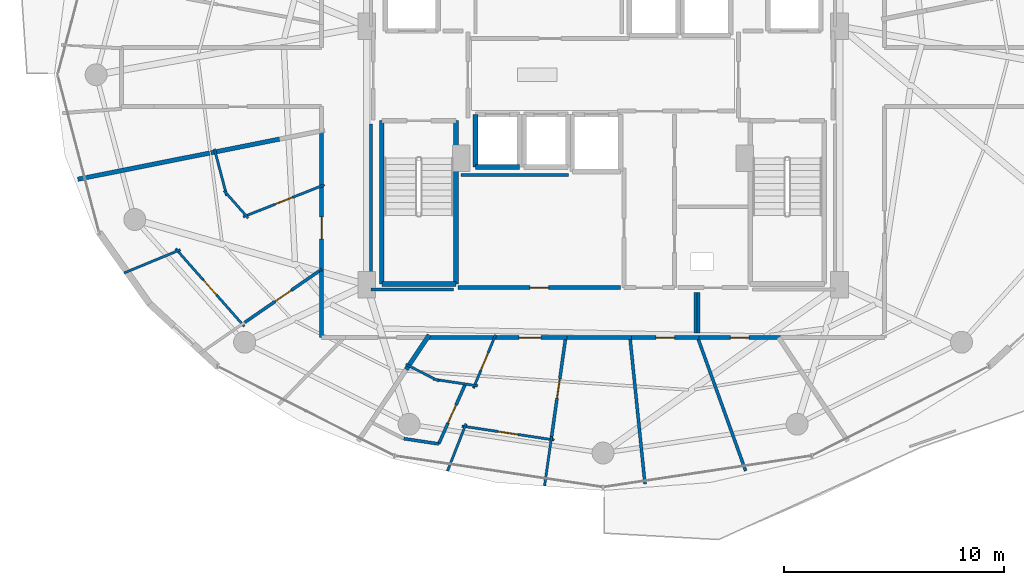
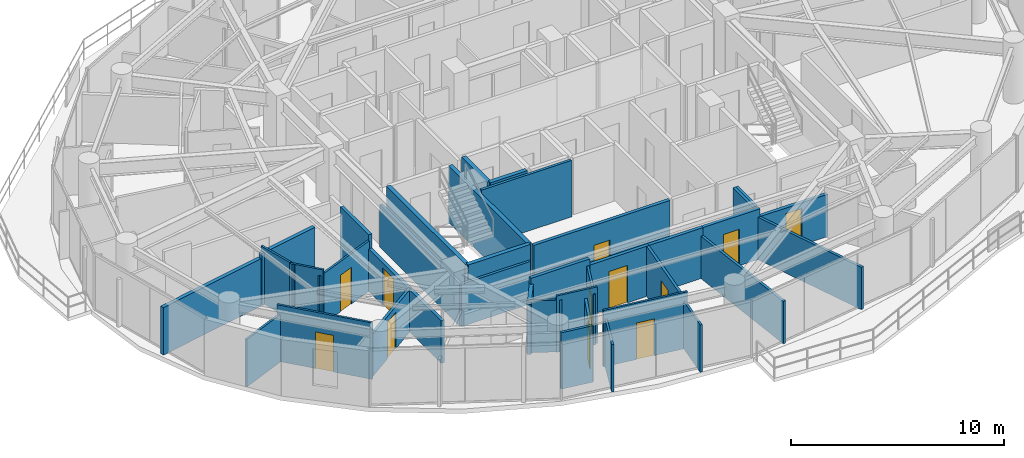
# One storey, part 20 of 29: 39 walls, 12 doors, 12 openings.
"""IFC4 building model written with IfcOpenShell, lengths in metres."""

import ifcopenshell
import ifcopenshell.guid

model = None  # the IFC model being written
_history = None  # IfcOwnerHistory: only IFC2X3 demands one
_inside = {}  # id of a spatial element -> (the spatial element, [elements in it])
_under = {}  # id of a project, library or spatial element -> (it, [spatial elements below it])
_declared = {}  # id of a project -> (the project, [libraries it declares])
_typed = {}  # id of a type object -> (the type object, [elements of that type])
_made_of = {}  # id of a material, layer set ... -> (it, [elements and type objects made of it])


def new_model(schema):
    """Start an empty IFC model of exactly this schema.

    Asked for "IFC4X3", IfcOpenShell would pick the latest addendum, in which some entities
    have other attributes; the version numbers below select the first issue.
    IFC2X3 requires an IfcOwnerHistory on every rooted entity: one is made here for all.
    """
    global model, _history
    if schema == "IFC4X3":
        model = ifcopenshell.file(schema_version=(4, 3, 0, 0))
    else:
        model = ifcopenshell.file(schema=schema)
    _inside.clear()
    _under.clear()
    _declared.clear()
    _typed.clear()
    _made_of.clear()
    _history = None
    if model.schema == "IFC2X3":
        org = make("IfcOrganization", Name="unknown")
        user = make(
            "IfcPersonAndOrganization",
            ThePerson=make("IfcPerson", FamilyName="unknown"),
            TheOrganization=org,
        )
        app = make(
            "IfcApplication",
            ApplicationDeveloper=org,
            Version="unknown",
            ApplicationFullName="unknown",
            ApplicationIdentifier="unknown",
        )
        _history = make(
            "IfcOwnerHistory",
            OwningUser=user,
            OwningApplication=app,
            ChangeAction="ADDED",
            CreationDate=0,
        )
    return model


def make(cls, **values):
    """One entity of the class cls with the attributes given. An attribute that is None is left unset."""
    return model.create_entity(
        cls, **{name: value for name, value in values.items() if value is not None}
    )


def rooted(cls, **values):
    """An entity with a GlobalId (a new one), such as an element, a storey or a relation."""
    return make(cls, GlobalId=ifcopenshell.guid.new(), OwnerHistory=_history, **values)


def si_unit(unit_type, name, prefix=None):
    """IfcSIUnit, for example si_unit("LENGTHUNIT", "METRE", prefix="MILLI")."""
    return make("IfcSIUnit", UnitType=unit_type, Prefix=prefix, Name=name)


def assignment(units):
    """IfcUnitAssignment: the units of a project."""
    return None if units is None else make("IfcUnitAssignment", Units=units)


def point(xyz):
    """IfcCartesianPoint."""
    return None if xyz is None else make("IfcCartesianPoint", Coordinates=xyz)


def direction(xyz):
    """IfcDirection."""
    return None if xyz is None else make("IfcDirection", DirectionRatios=xyz)


def frame(location, z_axis=None, x_axis=None):
    """IfcAxis2Placement3D, a coordinate frame: its origin and axes. An axis left out is left unset."""
    return make(
        "IfcAxis2Placement3D",
        Location=point(location),
        Axis=direction(z_axis),
        RefDirection=direction(x_axis),
    )


def frame_2d(location, x_axis=None):
    """IfcAxis2Placement2D, a coordinate frame in the plane: its origin and x axis."""
    return make(
        "IfcAxis2Placement2D", Location=point(location), RefDirection=direction(x_axis)
    )


def origin():
    """The frame at (0, 0, 0) with its axes left unset."""
    return frame((0.0, 0.0, 0.0))


def place(relative_to, where):
    """IfcLocalPlacement: puts the frame where relative to a parent placement (None: the world)."""
    return make(
        "IfcLocalPlacement", PlacementRelTo=relative_to, RelativePlacement=where
    )


def context(
    kind, dimensions, precision=None, world=None, true_north=None, identifier=None
):
    """IfcGeometricRepresentationContext, for example the 3D "Model" context."""
    return make(
        "IfcGeometricRepresentationContext",
        ContextIdentifier=identifier,
        ContextType=kind,
        CoordinateSpaceDimension=dimensions,
        Precision=precision,
        WorldCoordinateSystem=world,
        TrueNorth=true_north,
    )


def subcontext(parent, identifier, kind, view, scale=None):
    """IfcGeometricRepresentationSubContext, for example "Body" below "Model"."""
    return make(
        "IfcGeometricRepresentationSubContext",
        ContextIdentifier=identifier,
        ContextType=kind,
        ParentContext=parent,
        TargetScale=scale,
        TargetView=view,
    )


def project(units=None, contexts=None):
    """IfcProject with its units and contexts."""
    return rooted(
        "IfcProject",
        Name="project",
        RepresentationContexts=contexts,
        UnitsInContext=assignment(units),
    )


def spatial(cls, under=None, at=None, **own):
    """A site, building, storey or space (cls), placed at a placement, below another one or the project."""
    s = rooted(cls, ObjectPlacement=at, **own)
    if under is not None:
        _under.setdefault(under.id(), (under, []))[1].append(s)
    return s


def profile(cls, at=None, kind="AREA", **sizes):
    """A parametric profile (cls). Its sizes go by their IFC names, for example OverallWidth=200.0."""
    return make(cls, ProfileType=kind, Position=at, **sizes)


def rectangle(**sizes):
    """IfcRectangleProfileDef."""
    return profile("IfcRectangleProfileDef", **sizes)


def extrude(swept, where, along, depth):
    """IfcExtrudedAreaSolid: the profile swept, set in the frame where, extruded along a direction by depth."""
    return make(
        "IfcExtrudedAreaSolid",
        SweptArea=swept,
        Position=where,
        ExtrudedDirection=direction(along),
        Depth=depth,
    )


def shape(context_of_items, identifier, shape_type, items):
    """IfcShapeRepresentation: the items that make up one representation, for example the "Body"."""
    return make(
        "IfcShapeRepresentation",
        ContextOfItems=context_of_items,
        RepresentationIdentifier=identifier,
        RepresentationType=shape_type,
        Items=items,
    )


def material(Name=None, Category=None):
    """IfcMaterial."""
    return make("IfcMaterial", Name=Name, Category=Category)


def layer(
    of_material, thickness, ventilated=None, Name=None, Category=None, Priority=None
):
    """IfcMaterialLayer: one layer of a wall or slab, of a material (None: an air gap)."""
    return make(
        "IfcMaterialLayer",
        Material=of_material,
        LayerThickness=thickness,
        IsVentilated=ventilated,
        Name=Name,
        Category=Category,
        Priority=Priority,
    )


def layer_set(layers, Name=None):
    """IfcMaterialLayerSet."""
    return make("IfcMaterialLayerSet", MaterialLayers=layers, LayerSetName=Name)


def made_of(thing, what):
    """Note that an element or type object is made of a material, layer set ...; save() writes the relation."""
    if what is not None:
        _made_of.setdefault(what.id(), (what, []))[1].append(thing)
    return thing


def type_object(cls, material=None, **own):
    """A type object (cls), such as IfcWallType, which elements share."""
    return made_of(rooted(cls, **own), material)


def element(
    cls,
    number,
    at=None,
    inside=None,
    cuts=None,
    type_object=None,
    material=None,
    context=None,
    identifier="Body",
    shape_type=None,
    held_by="IfcProductDefinitionShape",
    body=None,
    shapes=None,
    **own,
):
    """One element of the class cls, such as IfcWall. Its Tag is "e" and its number.

    at: its placement. inside: the storey or other place that contains it. cuts: it is an
    opening in that element (IfcRelVoidsElement). A single representation is given by context,
    identifier, shape_type and body (its items); several are given by shapes. held_by: the class
    of the entity that holds the representations. save() writes the other relations.
    """
    e = rooted(cls, Tag="e%d" % number, ObjectPlacement=at, **own)
    if body is not None:
        shapes = [shape(context, identifier, shape_type, body)]
    if shapes is not None:
        e.Representation = make(held_by, Representations=shapes)
    if inside is not None:
        _inside.setdefault(inside.id(), (inside, []))[1].append(e)
    if cuts is not None:
        rooted(
            "IfcRelVoidsElement", RelatingBuildingElement=cuts, RelatedOpeningElement=e
        )
    if type_object is not None:
        _typed.setdefault(type_object.id(), (type_object, []))[1].append(e)
    return made_of(e, material)


def fill(opening, filler):
    """IfcRelFillsElement: the door or window that sits in an opening."""
    return rooted(
        "IfcRelFillsElement",
        RelatingOpeningElement=opening,
        RelatedBuildingElement=filler,
    )


def aggregate(whole, parts):
    """IfcRelAggregates: a whole, such as a stair, and the parts it consists of."""
    return rooted("IfcRelAggregates", RelatingObject=whole, RelatedObjects=parts)


def save(model, path):
    """Write the relations noted so far, then the file.

    IfcRelAggregates (storeys below a building ...), IfcRelContainedInSpatialStructure (elements
    in a storey), IfcRelDefinesByType, IfcRelAssociatesMaterial and IfcRelDeclares: one each for
    every whole, place, type object, material and project.
    """
    for whole, parts in _under.values():
        aggregate(whole, parts)
    for where, things in _inside.values():
        rooted(
            "IfcRelContainedInSpatialStructure",
            RelatedElements=things,
            RelatingStructure=where,
        )
    for kind, things in _typed.values():
        rooted("IfcRelDefinesByType", RelatedObjects=things, RelatingType=kind)
    for what, things in _made_of.values():
        rooted("IfcRelAssociatesMaterial", RelatedObjects=things, RelatingMaterial=what)
    for by, libraries in _declared.values():
        rooted("IfcRelDeclares", RelatingContext=by, RelatedDefinitions=libraries)
    model.write(path)


model = new_model("IFC4")

# Units and contexts
model_context = context("Model", 3, precision=1e-05, world=origin(), true_north=direction((0.0, 1.0)))
body_context = subcontext(model_context, "Body", "Model", "MODEL_VIEW")
ifc_project = project(units=[si_unit("LENGTHUNIT", "METRE"), si_unit("AREAUNIT", "SQUARE_METRE"), si_unit("VOLUMEUNIT", "CUBIC_METRE"), si_unit("PLANEANGLEUNIT", "RADIAN"), si_unit("MASSUNIT", "GRAM", prefix="KILO")], contexts=[model_context])

# Site, building, storey
site_placement = place(None, origin())
site = spatial("IfcSite", under=ifc_project, at=site_placement, CompositionType="ELEMENT")
building_placement = place(site_placement, origin())
building = spatial("IfcBuilding", under=site, at=building_placement, Name="Vorneva Point Tower", CompositionType="ELEMENT")
storey_placement = place(building_placement, frame((0.0, 0.0, 150.10009765625)))
storey = spatial("IfcBuildingStorey", under=building, at=storey_placement, Name="L40", CompositionType="ELEMENT", Elevation=150.10009765625)

# Wall, opening, door
ifc_material_1 = material(Name="Fire-rated acoustic gypsum stud partition", Category="gypsum")
ifc_layer_1 = layer(ifc_material_1, 0.110107421875)
ifc_layer_set_1 = layer_set([ifc_layer_1], Name="Fire-rated acoustic gypsum stud partition")
wall_type_1 = type_object("IfcWallType", Name="WL-PART-110", PredefinedType="PARTITIONING", material=ifc_layer_set_1)
wall_1_placement = place(storey_placement, frame((25.330078125, 20.997314453125, 0.0), z_axis=(0.0, 0.0, 1.0), x_axis=(-0.930092731386, -0.367324803169, 0.0)))
wall_1 = element("IfcWall", 1, at=wall_1_placement, inside=storey, type_object=wall_type_1, Name="L40 Interior Partition 110", PredefinedType="PARTITIONING", context=body_context, shape_type="SweptSolid", body=[
    extrude(rectangle(XDim=3.968505859375, YDim=0.110107421875, at=frame_2d((1.984375, 0.0))), origin(), (0.0, 0.0, 1.0), 2.885986328125),
])
opening_1_placement = place(wall_1_placement, frame((1.559326171875, 0.0, 0.0)))
opening_1 = element("IfcOpeningElement", 2, at=opening_1_placement, cuts=wall_1, Name="Opening ID-02", PredefinedType="OPENING", context=body_context, shape_type="SweptSolid", body=[
    extrude(rectangle(XDim=0.85009765625, YDim=2.10009765625, at=frame_2d((0.425048828125, 1.050048828125))), frame((0.0, 0.06982421875, 0.0), z_axis=(0.0, -1.0, 0.0), x_axis=(1.0, 0.0, 0.0)), (0.0, 0.0, 1.0), 0.139892578125),
])
ifc_material_2 = material(Name="Engineered oak fire-rated door leaf", Category="wood")
door_type_1 = type_object("IfcDoorType", Name="DR-BATH-850", OperationType="NOTDEFINED", PredefinedType="DOOR", material=ifc_material_2)
door_1_placement = place(opening_1_placement, origin())
door_1 = element("IfcDoor", 3, at=door_1_placement, inside=storey, type_object=door_type_1, Name="L40 Door Living and Dining Room L40-05 / Bathroom L40-05", OperationType="SINGLE_SWING_RIGHT", OverallHeight=2.10009765625, OverallWidth=0.85009765625, PredefinedType="DOOR", context=body_context, shape_type="SweptSolid", body=[
    extrude(rectangle(XDim=0.85009765625, YDim=2.10009765625, at=frame_2d((0.425048828125, 1.050048828125))), frame((0.0, 0.02490234375, 0.0), z_axis=(0.0, -1.0, 0.0), x_axis=(1.0, 0.0, 0.0)), (0.0, 0.0, 1.0), 0.050048828125),
])
fill(opening_1, door_1)

# Walls
wall_2_placement = place(storey_placement, frame((21.861572265625, 19.486083984375, 0.0), z_axis=(0.0, 0.0, 1.0), x_axis=(-0.661645897528, 0.749816448396, 0.0)))
element("IfcWall", 4, at=wall_2_placement, inside=storey, type_object=wall_type_1, Name="L40 Interior Partition 111", PredefinedType="PARTITIONING", context=body_context, shape_type="SweptSolid", body=[
    extrude(rectangle(XDim=1.6640625, YDim=0.110107421875, at=frame_2d((0.83203125, 0.0))), origin(), (0.0, 0.0, 1.0), 3.239990234375),
])
wall_3_placement = place(storey_placement, frame((20.888671875, 20.49365234375, 0.0), z_axis=(0.0, 0.0, 1.0), x_axis=(-0.254389812051, 0.967101764823, 0.0)))
element("IfcWall", 5, at=wall_3_placement, inside=storey, type_object=wall_type_1, Name="L40 Interior Partition 112", PredefinedType="PARTITIONING", context=body_context, shape_type="SweptSolid", body=[
    extrude(rectangle(XDim=2.206298828125, YDim=0.110107421875, at=frame_2d((1.10302734375, 0.0))), origin(), (0.0, 0.0, 1.0), 3.239990234375),
])
wall_4_placement = place(storey_placement, frame((16.2216796875, 16.987548828125, 0.0), z_axis=(0.0, 0.0, 1.0), x_axis=(0.924067287951, 0.382229835751, 0.0)))
element("IfcWall", 6, at=wall_4_placement, inside=storey, type_object=wall_type_1, Name="L40 Interior Partition 113", PredefinedType="PARTITIONING", context=body_context, shape_type="SweptSolid", body=[
    extrude(rectangle(XDim=2.770263671875, YDim=0.110107421875, at=frame_2d((1.38525390625, 0.0))), origin(), (0.0, 0.0, 1.0), 2.727783203125),
])

# Wall, opening, door
wall_5_placement = place(storey_placement, frame((18.559326171875, 18.097900390625, 0.0), z_axis=(0.0, 0.0, 1.0), x_axis=(0.662122223318, -0.749395864272, 0.0)))
wall_5 = element("IfcWall", 7, at=wall_5_placement, inside=storey, type_object=wall_type_1, Name="L40 Interior Partition 114", PredefinedType="PARTITIONING", context=body_context, shape_type="SweptSolid", body=[
    extrude(rectangle(XDim=4.724853515625, YDim=0.110107421875, at=frame_2d((2.3623046875, 0.0))), origin(), (0.0, 0.0, 1.0), 3.239990234375),
])
opening_2_placement = place(wall_5_placement, frame((1.912353515625, 0.0, 0.0)))
opening_2 = element("IfcOpeningElement", 8, at=opening_2_placement, cuts=wall_5, Name="Opening ID-01", PredefinedType="OPENING", context=body_context, shape_type="SweptSolid", body=[
    extrude(rectangle(XDim=0.89990234375, YDim=2.10009765625, at=frame_2d((0.449951171875, 1.050048828125))), frame((0.0, 0.06982421875, 0.0), z_axis=(0.0, -1.0, 0.0), x_axis=(1.0, 0.0, 0.0)), (0.0, 0.0, 1.0), 0.139892578125),
])
door_type_2 = type_object("IfcDoorType", Name="DR-ROOM-900", OperationType="NOTDEFINED", PredefinedType="DOOR", material=ifc_material_2)
door_2_placement = place(opening_2_placement, origin())
door_2 = element("IfcDoor", 9, at=door_2_placement, inside=storey, type_object=door_type_2, Name="L40 Door Living and Dining Room L40-05 / Kitchen L40-05", OperationType="SINGLE_SWING_LEFT", OverallHeight=2.10009765625, OverallWidth=0.89990234375, PredefinedType="DOOR", context=body_context, shape_type="SweptSolid", body=[
    extrude(rectangle(XDim=0.89990234375, YDim=2.10009765625, at=frame_2d((0.449951171875, 1.050048828125))), frame((0.0, 0.02490234375, 0.0), z_axis=(0.0, -1.0, 0.0), x_axis=(1.0, 0.0, 0.0)), (0.0, 0.0, 1.0), 0.050048828125),
])
fill(opening_2, door_2)

wall_6_placement = place(storey_placement, frame((33.112548828125, 14.179443359375, 0.0), z_axis=(0.0, 0.0, 1.0), x_axis=(-0.382343605935, -0.924020220017, 0.0)))
wall_6 = element("IfcWall", 10, at=wall_6_placement, inside=storey, type_object=wall_type_1, Name="L40 Interior Partition 121", PredefinedType="PARTITIONING", context=body_context, shape_type="SweptSolid", body=[
    extrude(rectangle(XDim=2.634033203125, YDim=0.110107421875, at=frame_2d((1.31689453125, 0.0))), origin(), (0.0, 0.0, 1.0), 2.885986328125),
])
opening_3_placement = place(wall_6_placement, frame((0.89208984375, 0.0, 0.0)))
opening_3 = element("IfcOpeningElement", 11, at=opening_3_placement, cuts=wall_6, Name="Opening ID-02", PredefinedType="OPENING", context=body_context, shape_type="SweptSolid", body=[
    extrude(rectangle(XDim=0.85009765625, YDim=2.10009765625, at=frame_2d((0.425048828125, 1.050048828125))), frame((0.0, 0.06982421875, 0.0), z_axis=(0.0, -1.0, 0.0), x_axis=(1.0, 0.0, 0.0)), (0.0, 0.0, 1.0), 0.139892578125),
])
door_3_placement = place(opening_3_placement, origin())
door_3 = element("IfcDoor", 12, at=door_3_placement, inside=storey, type_object=door_type_1, Name="L40 Door Living and Dining Room L40-06 / Bathroom L40-06", OperationType="SINGLE_SWING_LEFT", OverallHeight=2.10009765625, OverallWidth=0.85009765625, PredefinedType="DOOR", context=body_context, shape_type="SweptSolid", body=[
    extrude(rectangle(XDim=0.85009765625, YDim=2.10009765625, at=frame_2d((0.425048828125, 1.050048828125))), frame((0.0, 0.02490234375, 0.0), z_axis=(0.0, -1.0, 0.0), x_axis=(1.0, 0.0, 0.0)), (0.0, 0.0, 1.0), 0.050048828125),
])
fill(opening_3, door_3)

# Walls
wall_7_placement = place(storey_placement, frame((32.29736328125, 11.854248046875, 0.0), z_axis=(0.0, 0.0, 1.0), x_axis=(-0.988917131865, 0.148468536412, 0.0)))
element("IfcWall", 13, at=wall_7_placement, inside=storey, type_object=wall_type_1, Name="L40 Interior Partition 122", PredefinedType="PARTITIONING", context=body_context, shape_type="SweptSolid", body=[
    extrude(rectangle(XDim=2.050537109375, YDim=0.110107421875, at=frame_2d((1.025390625, 0.0))), origin(), (0.0, 0.0, 1.0), 3.239990234375),
])
wall_8_placement = place(storey_placement, frame((30.9248046875, 7.981689453125, 0.0), z_axis=(0.0, 0.0, 1.0), x_axis=(0.365433616255, 0.930837403691, 0.0)))
element("IfcWall", 14, at=wall_8_placement, inside=storey, type_object=wall_type_1, Name="L40 Interior Partition 123", PredefinedType="PARTITIONING", context=body_context, shape_type="SweptSolid", body=[
    extrude(rectangle(XDim=2.3134765625, YDim=0.110107421875, at=frame_2d((1.15673828125, 0.0))), origin(), (0.0, 0.0, 1.0), 2.727783203125),
])

# Wall, opening, door
wall_9_placement = place(storey_placement, frame((31.58056640625, 10.02587890625, 0.0), z_axis=(0.0, 0.0, 1.0), x_axis=(0.988869600434, -0.148784788666, 0.0)))
wall_9 = element("IfcWall", 15, at=wall_9_placement, inside=storey, type_object=wall_type_1, Name="L40 Interior Partition 124", PredefinedType="PARTITIONING", context=body_context, shape_type="SweptSolid", body=[
    extrude(rectangle(XDim=4.2451171875, YDim=0.110107421875, at=frame_2d((2.12255859375, 0.0))), origin(), (0.0, 0.0, 1.0), 3.239990234375),
])
opening_4_placement = place(wall_9_placement, frame((1.672607421875, 0.0, 0.0)))
opening_4 = element("IfcOpeningElement", 16, at=opening_4_placement, cuts=wall_9, Name="Opening ID-01", PredefinedType="OPENING", context=body_context, shape_type="SweptSolid", body=[
    extrude(rectangle(XDim=0.89990234375, YDim=2.10009765625, at=frame_2d((0.449951171875, 1.050048828125))), frame((0.0, 0.06982421875, 0.0), z_axis=(0.0, -1.0, 0.0), x_axis=(1.0, 0.0, 0.0)), (0.0, 0.0, 1.0), 0.139892578125),
])
door_4_placement = place(opening_4_placement, origin())
door_4 = element("IfcDoor", 17, at=door_4_placement, inside=storey, type_object=door_type_2, Name="L40 Door Living and Dining Room L40-06 / Kitchen L40-06", OperationType="SINGLE_SWING_RIGHT", OverallHeight=2.10009765625, OverallWidth=0.89990234375, PredefinedType="DOOR", context=body_context, shape_type="SweptSolid", body=[
    extrude(rectangle(XDim=0.89990234375, YDim=2.10009765625, at=frame_2d((0.449951171875, 1.050048828125))), frame((0.0, 0.02490234375, 0.0), z_axis=(0.0, -1.0, 0.0), x_axis=(1.0, 0.0, 0.0)), (0.0, 0.0, 1.0), 0.050048828125),
])
fill(opening_4, door_4)

# Walls
wall_10_placement = place(storey_placement, frame((29.033935546875, 12.83203125, 0.0), z_axis=(0.0, 0.0, 1.0), x_axis=(0.892617244745, -0.450815321816, 0.0)))
element("IfcWall", 18, at=wall_10_placement, inside=storey, type_object=wall_type_1, Name="L40 Interior Partition 129", PredefinedType="PARTITIONING", context=body_context, shape_type="SweptSolid", body=[
    extrude(rectangle(XDim=1.679443359375, YDim=0.110107421875, at=frame_2d((0.83984375, 0.0))), origin(), (0.0, 0.0, 1.0), 2.971923828125),
])
wall_11_placement = place(storey_placement, frame((35.34033203125, 7.308349609375, 0.0), z_axis=(0.0, 0.0, 1.0), x_axis=(0.140803429846, 0.990037572087, 0.0)))
element("IfcWall", 19, at=wall_11_placement, inside=storey, type_object=wall_type_1, Name="L40 Interior Partition 130", PredefinedType="PARTITIONING", context=body_context, shape_type="SweptSolid", body=[
    extrude(rectangle(XDim=2.26806640625, YDim=0.110107421875, at=frame_2d((1.134033203125, 0.0))), origin(), (0.0, 0.0, 1.0), 2.727783203125),
])

# Wall, opening, door
ifc_layer_2 = layer(ifc_material_1, 0.139892578125)
ifc_layer_set_2 = layer_set([ifc_layer_2], Name="Fire-rated acoustic gypsum stud partition")
wall_type_2 = type_object("IfcWallType", Name="WL-PART-140", PredefinedType="PARTITIONING", material=ifc_layer_set_2)
wall_12_placement = place(storey_placement, frame((21.710205078125, 14.741455078125, 0.0), z_axis=(0.0, 0.0, 1.0), x_axis=(0.822672586971, 0.568515448027, 0.0)))
wall_12 = element("IfcWall", 20, at=wall_12_placement, inside=storey, type_object=wall_type_2, Name="L40 Interior Partition 116", PredefinedType="PARTITIONING", context=body_context, shape_type="SweptSolid", body=[
    extrude(rectangle(XDim=4.241943359375, YDim=0.139892578125, at=frame_2d((2.12109375, 0.0))), origin(), (0.0, 0.0, 1.0), 2.431884765625),
])
opening_5_placement = place(wall_12_placement, frame((1.6708984375, 0.0, 0.0)))
opening_5 = element("IfcOpeningElement", 21, at=opening_5_placement, cuts=wall_12, Name="Opening ID-01", PredefinedType="OPENING", context=body_context, shape_type="SweptSolid", body=[
    extrude(rectangle(XDim=0.89990234375, YDim=2.10009765625, at=frame_2d((0.449951171875, 1.050048828125))), frame((0.0, 0.0849609375, 0.0), z_axis=(0.0, -1.0, 0.0), x_axis=(1.0, 0.0, 0.0)), (0.0, 0.0, 1.0), 0.169677734375),
])
door_5_placement = place(opening_5_placement, origin())
door_5 = element("IfcDoor", 22, at=door_5_placement, inside=storey, type_object=door_type_2, Name="L40 Door Living and Dining Room L40-05 / Master Bedroom L40-05.1", OperationType="SINGLE_SWING_RIGHT", OverallHeight=2.10009765625, OverallWidth=0.89990234375, PredefinedType="DOOR", context=body_context, shape_type="SweptSolid", body=[
    extrude(rectangle(XDim=0.89990234375, YDim=2.10009765625, at=frame_2d((0.449951171875, 1.050048828125))), frame((0.0, 0.02490234375, 0.0), z_axis=(0.0, -1.0, 0.0), x_axis=(1.0, 0.0, 0.0)), (0.0, 0.0, 1.0), 0.050048828125),
])
fill(opening_5, door_5)

wall_13_placement = place(storey_placement, frame((31.738037109375, 11.93798828125, 0.0), z_axis=(0.0, 0.0, 1.0), x_axis=(-0.406814964782, -0.913510582549, 0.0)))
wall_13 = element("IfcWall", 23, at=wall_13_placement, inside=storey, type_object=wall_type_2, Name="L40 Interior Partition 125", PredefinedType="PARTITIONING", context=body_context, shape_type="SweptSolid", body=[
    extrude(rectangle(XDim=2.979736328125, YDim=0.139892578125, at=frame_2d((1.48974609375, 0.0))), origin(), (0.0, 0.0, 1.0), 2.727783203125),
])
opening_6_placement = place(wall_13_placement, frame((1.039794921875, 0.0, 0.0)))
opening_6 = element("IfcOpeningElement", 24, at=opening_6_placement, cuts=wall_13, Name="Opening ID-01", PredefinedType="OPENING", context=body_context, shape_type="SweptSolid", body=[
    extrude(rectangle(XDim=0.89990234375, YDim=2.10009765625, at=frame_2d((0.449951171875, 1.050048828125))), frame((0.0, 0.0849609375, 0.0), z_axis=(0.0, -1.0, 0.0), x_axis=(1.0, 0.0, 0.0)), (0.0, 0.0, 1.0), 0.169677734375),
])
door_6_placement = place(opening_6_placement, origin())
door_6 = element("IfcDoor", 25, at=door_6_placement, inside=storey, type_object=door_type_2, Name="L40 Door Living and Dining Room L40-06 / Study Room L40-06", OperationType="SINGLE_SWING_LEFT", OverallHeight=2.10009765625, OverallWidth=0.89990234375, PredefinedType="DOOR", context=body_context, shape_type="SweptSolid", body=[
    extrude(rectangle(XDim=0.89990234375, YDim=2.10009765625, at=frame_2d((0.449951171875, 1.050048828125))), frame((0.0, 0.02490234375, 0.0), z_axis=(0.0, -1.0, 0.0), x_axis=(1.0, 0.0, 0.0)), (0.0, 0.0, 1.0), 0.050048828125),
])
fill(opening_6, door_6)

# Wall
wall_14_placement = place(storey_placement, frame((30.52587890625, 9.216064453125, 0.0), z_axis=(0.0, 0.0, 1.0), x_axis=(-0.988860390109, 0.148845990455, 0.0)))
element("IfcWall", 26, at=wall_14_placement, inside=storey, type_object=wall_type_2, Name="L40 Interior Partition 126", PredefinedType="PARTITIONING", context=body_context, shape_type="SweptSolid", body=[
    extrude(rectangle(XDim=1.605712890625, YDim=0.139892578125, at=frame_2d((0.802734375, 0.0))), origin(), (0.0, 0.0, 1.0), 3.239990234375),
])

# Wall, opening, door
wall_15_placement = place(storey_placement, frame((35.639892578125, 9.4150390625, 0.0), z_axis=(0.0, 0.0, 1.0), x_axis=(0.140800762129, 0.990037951487, 0.0)))
wall_15 = element("IfcWall", 27, at=wall_15_placement, inside=storey, type_object=wall_type_2, Name="L40 Interior Partition 128", PredefinedType="PARTITIONING", context=body_context, shape_type="SweptSolid", body=[
    extrude(rectangle(XDim=4.681640625, YDim=0.139892578125, at=frame_2d((2.3408203125, 0.0))), origin(), (0.0, 0.0, 1.0), 2.885986328125),
])
opening_7_placement = place(wall_15_placement, frame((1.890869140625, 0.0, 0.0)))
opening_7 = element("IfcOpeningElement", 28, at=opening_7_placement, cuts=wall_15, Name="Opening ID-01", PredefinedType="OPENING", context=body_context, shape_type="SweptSolid", body=[
    extrude(rectangle(XDim=0.89990234375, YDim=2.10009765625, at=frame_2d((0.449951171875, 1.050048828125))), frame((0.0, 0.0849609375, 0.0), z_axis=(0.0, -1.0, 0.0), x_axis=(1.0, 0.0, 0.0)), (0.0, 0.0, 1.0), 0.169677734375),
])
door_7_placement = place(opening_7_placement, origin())
door_7 = element("IfcDoor", 29, at=door_7_placement, inside=storey, type_object=door_type_2, Name="L40 Door Living and Dining Room L40-06 / Master Bedroom L40-06.1", OperationType="SINGLE_SWING_RIGHT", OverallHeight=2.10009765625, OverallWidth=0.89990234375, PredefinedType="DOOR", context=body_context, shape_type="SweptSolid", body=[
    extrude(rectangle(XDim=0.89990234375, YDim=2.10009765625, at=frame_2d((0.449951171875, 1.050048828125))), frame((0.0, 0.02490234375, 0.0), z_axis=(0.0, -1.0, 0.0), x_axis=(1.0, 0.0, 0.0)), (0.0, 0.0, 1.0), 0.050048828125),
])
fill(opening_7, door_7)

# Walls
wall_16_placement = place(storey_placement, frame((39.906005859375, 7.39208984375, 0.0), z_axis=(0.0, 0.0, 1.0), x_axis=(-0.101883545041, 0.994796332547, 0.0)))
element("IfcWall", 30, at=wall_16_placement, inside=storey, type_object=wall_type_2, Name="L40 Interior Partition 131", PredefinedType="PARTITIONING", context=body_context, shape_type="SweptSolid", body=[
    extrude(rectangle(XDim=6.69287109375, YDim=0.139892578125, at=frame_2d((3.346435546875, 0.0))), origin(), (0.0, 0.0, 1.0), 2.431884765625),
])
wall_17_placement = place(storey_placement, frame((44.48388671875, 7.989013671875, 0.0), z_axis=(0.0, 0.0, 1.0), x_axis=(-0.338707389808, 0.940891760028, 0.0)))
element("IfcWall", 31, at=wall_17_placement, inside=storey, type_object=wall_type_2, Name="L40 Interior Partition 132", PredefinedType="PARTITIONING", context=body_context, shape_type="SweptSolid", body=[
    extrude(rectangle(XDim=6.44189453125, YDim=0.139892578125, at=frame_2d((3.220947265625, 0.0))), origin(), (0.0, 0.0, 1.0), 2.431884765625),
])
wall_18_placement = place(storey_placement, frame((36.43896484375, 21.449951171875, 0.0), z_axis=(0.0, 0.0, 1.0), x_axis=(-1.0, 0.0, 0.0)))
element("IfcWall", 32, at=wall_18_placement, inside=storey, type_object=wall_type_2, Name="L40 Interior Closure Partition 141", PredefinedType="PARTITIONING", context=body_context, shape_type="SweptSolid", body=[
    extrude(rectangle(XDim=4.908935546875, YDim=0.139892578125, at=frame_2d((2.45458984375, 0.0))), origin(), (0.0, 0.0, 1.0), 3.239990234375),
])
wall_19_placement = place(storey_placement, frame((27.449951171875, 23.75390625, 0.0), z_axis=(0.0, 0.0, 1.0), x_axis=(0.0, -1.0, 0.0)))
element("IfcWall", 33, at=wall_19_placement, inside=storey, type_object=wall_type_2, Name="L40 Interior Closure Partition 151", PredefinedType="PARTITIONING", context=body_context, shape_type="SweptSolid", body=[
    extrude(rectangle(XDim=7.513916015625, YDim=0.139892578125, at=frame_2d((3.7568359375, 0.0))), origin(), (0.0, 0.0, 1.0), 2.431884765625),
])
wall_20_placement = place(storey_placement, frame((27.449951171875, 16.239990234375, 0.0), z_axis=(0.0, 0.0, 1.0), x_axis=(1.0, 0.0, 0.0)))
element("IfcWall", 34, at=wall_20_placement, inside=storey, type_object=wall_type_2, Name="L40 Interior Closure Partition 152", PredefinedType="PARTITIONING", context=body_context, shape_type="SweptSolid", body=[
    extrude(rectangle(XDim=3.7451171875, YDim=0.139892578125, at=frame_2d((1.87255859375, 0.0))), origin(), (0.0, 0.0, 1.0), 2.431884765625),
])
for number, where, z_axis, x_axis, name in (
    (35, (42.199951171875, 16.10009765625, 0.0), (0.0, 0.0, 1.0), (0.0, -1.0, 0.0), "L40 Interior Closure Partition 153"),
    (36, (42.340087890625, 14.27001953125, 0.0), (0.0, 0.0, 1.0), (0.0, 1.0, 0.0), "L40 Interior Closure Partition 154"),
):
    element("IfcWall", number, at=place(storey_placement, frame(where, z_axis=z_axis, x_axis=x_axis)), inside=storey, type_object=wall_type_2, Name=name, PredefinedType="PARTITIONING", context=body_context, shape_type="SweptSolid", body=[
        extrude(rectangle(XDim=1.830078125, YDim=0.139892578125, at=frame_2d((0.9150390625, 0.0))), origin(), (0.0, 0.0, 1.0), 2.885986328125),
    ])

# Wall, opening, door
ifc_material_3 = material(Name="Autoclaved aerated concrete blockwork", Category="masonry")
ifc_layer_3 = layer(ifc_material_3, 0.179931640625)
ifc_layer_set_3 = layer_set([ifc_layer_3], Name="Autoclaved aerated concrete blockwork")
wall_type_3 = type_object("IfcWallType", Name="WL-PART-180", PredefinedType="PARTITIONING", material=ifc_layer_set_3)
wall_21_placement = place(storey_placement, frame((31.39990234375, 16.320068359375, 0.0), z_axis=(0.0, 0.0, 1.0), x_axis=(1.0, 0.0, 0.0)))
wall_21 = element("IfcWall", 37, at=wall_21_placement, inside=storey, type_object=wall_type_3, Name="L40 Interior Partition 025", PredefinedType="PARTITIONING", context=body_context, shape_type="SweptSolid", body=[
    extrude(rectangle(XDim=7.400146484375, YDim=0.179931640625, at=frame_2d((3.7001953125, 0.0))), origin(), (0.0, 0.0, 1.0), 3.239990234375),
])
opening_8_placement = place(wall_21_placement, frame((3.27490234375, 0.0, 0.0)))
opening_8 = element("IfcOpeningElement", 38, at=opening_8_placement, cuts=wall_21, Name="Opening ID-02", PredefinedType="OPENING", context=body_context, shape_type="SweptSolid", body=[
    extrude(rectangle(XDim=0.85009765625, YDim=2.10009765625, at=frame_2d((0.425048828125, 1.050048828125))), frame((0.0, 0.10498046875, 0.0), z_axis=(0.0, -1.0, 0.0), x_axis=(1.0, 0.0, 0.0)), (0.0, 0.0, 1.0), 0.209716796875),
])
door_8_placement = place(opening_8_placement, origin())
door_8 = element("IfcDoor", 39, at=door_8_placement, inside=storey, type_object=door_type_1, Name="L40 Door Floor Storage Room / L40 Circulation Corridor", OperationType="SINGLE_SWING_LEFT", OverallHeight=2.10009765625, OverallWidth=0.85009765625, PredefinedType="DOOR", context=body_context, shape_type="SweptSolid", body=[
    extrude(rectangle(XDim=0.85009765625, YDim=2.10009765625, at=frame_2d((0.425048828125, 1.050048828125))), frame((0.0, 0.02490234375, 0.0), z_axis=(0.0, -1.0, 0.0), x_axis=(1.0, 0.0, 0.0)), (0.0, 0.0, 1.0), 0.050048828125),
])
fill(opening_8, door_8)

wall_22_placement = place(storey_placement, frame((25.199951171875, 21.006103515625, 0.0), z_axis=(0.0, 0.0, 1.0), x_axis=(0.0, -1.0, 0.0)))
wall_22 = element("IfcWall", 40, at=wall_22_placement, inside=storey, type_object=wall_type_3, Name="L40 Interior Partition 048", PredefinedType="PARTITIONING", context=body_context, shape_type="SweptSolid", body=[
    extrude(rectangle(XDim=3.926025390625, YDim=0.179931640625, at=frame_2d((1.962890625, 0.0))), origin(), (0.0, 0.0, 1.0), 2.431884765625),
])
opening_9_placement = place(wall_22_placement, frame((1.462890625, 0.0, 0.0)))
opening_9 = element("IfcOpeningElement", 41, at=opening_9_placement, cuts=wall_22, Name="Opening UD-01", PredefinedType="OPENING", context=body_context, shape_type="SweptSolid", body=[
    extrude(rectangle(XDim=1.0, YDim=2.14990234375, at=frame_2d((0.5, 1.074951171875))), frame((0.0, 0.10498046875, 0.0), z_axis=(0.0, -1.0, 0.0), x_axis=(1.0, 0.0, 0.0)), (0.0, 0.0, 1.0), 0.209716796875),
])
door_type_3 = type_object("IfcDoorType", Name="DR-UNIT-1000", OperationType="NOTDEFINED", PredefinedType="DOOR", material=ifc_material_2)
door_9_placement = place(opening_9_placement, origin())
door_9 = element("IfcDoor", 42, at=door_9_placement, inside=storey, type_object=door_type_3, Name="L40 Door L40 Circulation Corridor / Living and Dining Room L40-05", OperationType="SINGLE_SWING_RIGHT", OverallHeight=2.14990234375, OverallWidth=1.0, PredefinedType="DOOR", context=body_context, shape_type="SweptSolid", body=[
    extrude(rectangle(XDim=1.0, YDim=2.14990234375, at=frame_2d((0.5, 1.074951171875))), frame((0.0, 0.02490234375, 0.0), z_axis=(0.0, -1.0, 0.0), x_axis=(1.0, 0.0, 0.0)), (0.0, 0.0, 1.0), 0.050048828125),
])
fill(opening_9, door_9)

# Walls
wall_23_placement = place(storey_placement, frame((25.199951171875, 23.532958984375, 0.0), z_axis=(0.0, 0.0, 1.0), x_axis=(0.0, -1.0, 0.0)))
element("IfcWall", 43, at=wall_23_placement, inside=storey, type_object=wall_type_3, Name="L40 Interior Partition 049", PredefinedType="PARTITIONING", context=body_context, shape_type="SweptSolid", body=[
    extrude(rectangle(XDim=2.6669921875, YDim=0.179931640625, at=frame_2d((1.33349609375, 0.0))), origin(), (0.0, 0.0, 1.0), 3.239990234375),
])
wall_24_placement = place(storey_placement, frame((25.199951171875, 17.080078125, 0.0), z_axis=(0.0, 0.0, 1.0), x_axis=(0.0, -1.0, 0.0)))
element("IfcWall", 44, at=wall_24_placement, inside=storey, type_object=wall_type_3, Name="L40 Interior Partition 050", PredefinedType="PARTITIONING", context=body_context, shape_type="SweptSolid", body=[
    extrude(rectangle(XDim=3.030029296875, YDim=0.179931640625, at=frame_2d((1.51513671875, 0.0))), origin(), (0.0, 0.0, 1.0), 2.431884765625),
])

# Wall, opening, door
wall_25_placement = place(storey_placement, frame((32.993896484375, 14.050048828125, 0.0), z_axis=(0.0, 0.0, 1.0), x_axis=(1.0, 0.0, 0.0)))
wall_25 = element("IfcWall", 45, at=wall_25_placement, inside=storey, type_object=wall_type_3, Name="L40 Interior Partition 053", PredefinedType="PARTITIONING", context=body_context, shape_type="SweptSolid", body=[
    extrude(rectangle(XDim=3.364990234375, YDim=0.179931640625, at=frame_2d((1.6826171875, 0.0))), origin(), (0.0, 0.0, 1.0), 2.885986328125),
])
opening_10_placement = place(wall_25_placement, frame((1.1826171875, 0.0, 0.0)))
opening_10 = element("IfcOpeningElement", 46, at=opening_10_placement, cuts=wall_25, Name="Opening UD-01", PredefinedType="OPENING", context=body_context, shape_type="SweptSolid", body=[
    extrude(rectangle(XDim=1.0, YDim=2.14990234375, at=frame_2d((0.5, 1.074951171875))), frame((0.0, 0.10498046875, 0.0), z_axis=(0.0, -1.0, 0.0), x_axis=(1.0, 0.0, 0.0)), (0.0, 0.0, 1.0), 0.209716796875),
])
door_10_placement = place(opening_10_placement, origin())
door_10 = element("IfcDoor", 47, at=door_10_placement, inside=storey, type_object=door_type_3, Name="L40 Door L40 Circulation Corridor / Living and Dining Room L40-06", OperationType="SINGLE_SWING_LEFT", OverallHeight=2.14990234375, OverallWidth=1.0, PredefinedType="DOOR", context=body_context, shape_type="SweptSolid", body=[
    extrude(rectangle(XDim=1.0, YDim=2.14990234375, at=frame_2d((0.5, 1.074951171875))), frame((0.0, 0.02490234375, 0.0), z_axis=(0.0, -1.0, 0.0), x_axis=(1.0, 0.0, 0.0)), (0.0, 0.0, 1.0), 0.050048828125),
])
fill(opening_10, door_10)

# Walls
wall_26_placement = place(storey_placement, frame((29.93505859375, 14.050048828125, 0.0), z_axis=(0.0, 0.0, 1.0), x_axis=(1.0, 0.0, 0.0)))
element("IfcWall", 48, at=wall_26_placement, inside=storey, type_object=wall_type_3, Name="L40 Interior Partition 054", PredefinedType="PARTITIONING", context=body_context, shape_type="SweptSolid", body=[
    extrude(rectangle(XDim=3.198974609375, YDim=0.179931640625, at=frame_2d((1.599609375, 0.0))), origin(), (0.0, 0.0, 1.0), 3.239990234375),
])
wall_27_placement = place(storey_placement, frame((36.35888671875, 14.050048828125, 0.0), z_axis=(0.0, 0.0, 1.0), x_axis=(1.0, 0.0, 0.0)))
element("IfcWall", 49, at=wall_27_placement, inside=storey, type_object=wall_type_3, Name="L40 Interior Partition 055", PredefinedType="PARTITIONING", context=body_context, shape_type="SweptSolid", body=[
    extrude(rectangle(XDim=2.925048828125, YDim=0.179931640625, at=frame_2d((1.46240234375, 0.0))), origin(), (0.0, 0.0, 1.0), 2.885986328125),
])

# Wall, opening, door
wall_28_placement = place(storey_placement, frame((39.283935546875, 14.050048828125, 0.0), z_axis=(0.0, 0.0, 1.0), x_axis=(1.0, 0.0, 0.0)))
wall_28 = element("IfcWall", 50, at=wall_28_placement, inside=storey, type_object=wall_type_3, Name="L40 Interior Partition 056", PredefinedType="PARTITIONING", context=body_context, shape_type="SweptSolid", body=[
    extrude(rectangle(XDim=3.08203125, YDim=0.179931640625, at=frame_2d((1.541015625, 0.0))), origin(), (0.0, 0.0, 1.0), 2.885986328125),
])
opening_11_placement = place(wall_28_placement, frame((1.115966796875, 0.0, 0.0)))
opening_11 = element("IfcOpeningElement", 51, at=opening_11_placement, cuts=wall_28, Name="Opening ID-02", PredefinedType="OPENING", context=body_context, shape_type="SweptSolid", body=[
    extrude(rectangle(XDim=0.85009765625, YDim=2.10009765625, at=frame_2d((0.425048828125, 1.050048828125))), frame((0.0, 0.10498046875, 0.0), z_axis=(0.0, -1.0, 0.0), x_axis=(1.0, 0.0, 0.0)), (0.0, 0.0, 1.0), 0.209716796875),
])
door_11_placement = place(opening_11_placement, origin())
door_11 = element("IfcDoor", 52, at=door_11_placement, inside=storey, type_object=door_type_1, Name="L40 Access Door L40 Circulation Corridor", OperationType="SINGLE_SWING_RIGHT", OverallHeight=2.10009765625, OverallWidth=0.85009765625, PredefinedType="DOOR", context=body_context, shape_type="SweptSolid", body=[
    extrude(rectangle(XDim=0.85009765625, YDim=2.10009765625, at=frame_2d((0.425048828125, 1.050048828125))), frame((0.0, 0.02490234375, 0.0), z_axis=(0.0, -1.0, 0.0), x_axis=(1.0, 0.0, 0.0)), (0.0, 0.0, 1.0), 0.050048828125),
])
fill(opening_11, door_11)

wall_29_placement = place(storey_placement, frame((42.365966796875, 14.050048828125, 0.0), z_axis=(0.0, 0.0, 1.0), x_axis=(1.0, 0.0, 0.0)))
wall_29 = element("IfcWall", 53, at=wall_29_placement, inside=storey, type_object=wall_type_3, Name="L40 Interior Partition 057", PredefinedType="PARTITIONING", context=body_context, shape_type="SweptSolid", body=[
    extrude(rectangle(XDim=3.69091796875, YDim=0.179931640625, at=frame_2d((1.845458984375, 0.0))), origin(), (0.0, 0.0, 1.0), 2.431884765625),
])
opening_12_placement = place(wall_29_placement, frame((1.42041015625, 0.0, 0.0)))
opening_12 = element("IfcOpeningElement", 54, at=opening_12_placement, cuts=wall_29, Name="Opening ID-02", PredefinedType="OPENING", context=body_context, shape_type="SweptSolid", body=[
    extrude(rectangle(XDim=0.85009765625, YDim=2.10009765625, at=frame_2d((0.425048828125, 1.050048828125))), frame((0.0, 0.10498046875, 0.0), z_axis=(0.0, -1.0, 0.0), x_axis=(1.0, 0.0, 0.0)), (0.0, 0.0, 1.0), 0.209716796875),
])
door_12_placement = place(opening_12_placement, origin())
door_12 = element("IfcDoor", 55, at=door_12_placement, inside=storey, type_object=door_type_1, Name="L40 Access Door L40 Circulation Corridor", OperationType="SINGLE_SWING_LEFT", OverallHeight=2.10009765625, OverallWidth=0.85009765625, PredefinedType="DOOR", context=body_context, shape_type="SweptSolid", body=[
    extrude(rectangle(XDim=0.85009765625, YDim=2.10009765625, at=frame_2d((0.425048828125, 1.050048828125))), frame((0.0, 0.02490234375, 0.0), z_axis=(0.0, -1.0, 0.0), x_axis=(1.0, 0.0, 0.0)), (0.0, 0.0, 1.0), 0.050048828125),
])
fill(opening_12, door_12)

# Walls
ifc_layer_4 = layer(ifc_material_3, 0.199951171875)
ifc_layer_set_4 = layer_set([ifc_layer_4], Name="Autoclaved aerated concrete blockwork")
wall_type_4 = type_object("IfcWallType", Name="WL-PART-200", PredefinedType="PARTITIONING", material=ifc_layer_set_4)
wall_30_placement = place(storey_placement, frame((14.116943359375, 21.2490234375, 0.0), z_axis=(0.0, 0.0, 1.0), x_axis=(0.980766298352, 0.19518572698, 0.0)))
element("IfcWall", 56, at=wall_30_placement, inside=storey, type_object=wall_type_4, Name="L40 Interior Partition 107", PredefinedType="PARTITIONING", context=body_context, shape_type="SweptSolid", body=[
    extrude(rectangle(XDim=6.1064453125, YDim=0.199951171875, at=frame_2d((3.05322265625, 0.0))), origin(), (0.0, 0.0, 1.0), 2.727783203125),
])
wall_31_placement = place(storey_placement, frame((20.166748046875, 22.45263671875, 0.0), z_axis=(0.0, 0.0, 1.0), x_axis=(0.980766708229, 0.195183667423, 0.0)))
element("IfcWall", 57, at=wall_31_placement, inside=storey, type_object=wall_type_4, Name="L40 Interior Partition 108", PredefinedType="PARTITIONING", context=body_context, shape_type="SweptSolid", body=[
    extrude(rectangle(XDim=3.323486328125, YDim=0.199951171875, at=frame_2d((1.66162109375, 0.0))), origin(), (0.0, 0.0, 1.0), 2.971923828125),
])
wall_32_placement = place(storey_placement, frame((29.048095703125, 12.6025390625, 0.0), z_axis=(0.0, 0.0, 1.0), x_axis=(0.555448864434, 0.831550695387, 0.0)))
element("IfcWall", 58, at=wall_32_placement, inside=storey, type_object=wall_type_4, Name="L40 Interior Partition 119", PredefinedType="PARTITIONING", context=body_context, shape_type="SweptSolid", body=[
    extrude(rectangle(XDim=1.880859375, YDim=0.199951171875, at=frame_2d((0.9404296875, 0.0))), origin(), (0.0, 0.0, 1.0), 2.885986328125),
])
ifc_material_4 = material(Name="Concrete B50 (C40/50)", Category="concrete")
ifc_layer_5 = layer(ifc_material_4, 0.219970703125)
ifc_layer_set_5 = layer_set([ifc_layer_5], Name="Concrete B50 (C40/50)")
wall_type_5 = type_object("IfcWallType", Name="WL-SHFT-220", PredefinedType="SOLIDWALL", material=ifc_layer_set_5)
wall_33_placement = place(storey_placement, frame((31.31005859375, 23.909912109375, 0.0), z_axis=(0.0, 0.0, 1.0), x_axis=(0.0, -1.0, 0.0)))
element("IfcWall", 59, at=wall_33_placement, inside=storey, type_object=wall_type_5, Name="L40 Exit Stair ST1 Shaft Wall right", PredefinedType="SOLIDWALL", context=body_context, shape_type="SweptSolid", body=[
    extrude(rectangle(XDim=7.419921875, YDim=0.219970703125, at=frame_2d((3.7099609375, 0.0))), origin(), (0.0, 0.0, 1.0), 3.239990234375),
])
wall_34_placement = place(storey_placement, frame((31.31005859375, 16.489990234375, 0.0), z_axis=(0.0, 0.0, 1.0), x_axis=(-1.0, 0.0, 0.0)))
element("IfcWall", 60, at=wall_34_placement, inside=storey, type_object=wall_type_5, Name="L40 Exit Stair ST1 Shaft Wall far", PredefinedType="SOLIDWALL", context=body_context, shape_type="SweptSolid", body=[
    extrude(rectangle(XDim=3.3701171875, YDim=0.219970703125, at=frame_2d((1.68505859375, 0.0))), origin(), (0.0, 0.0, 1.0), 3.239990234375),
])
wall_35_placement = place(storey_placement, frame((27.93994140625, 16.489990234375, 0.0), z_axis=(0.0, 0.0, 1.0), x_axis=(0.0, 1.0, 0.0)))
element("IfcWall", 61, at=wall_35_placement, inside=storey, type_object=wall_type_5, Name="L40 Exit Stair ST1 Shaft Wall left", PredefinedType="SOLIDWALL", context=body_context, shape_type="SweptSolid", body=[
    extrude(rectangle(XDim=7.419921875, YDim=0.219970703125, at=frame_2d((3.7099609375, 0.0))), origin(), (0.0, 0.0, 1.0), 3.239990234375),
])
wall_36_placement = place(storey_placement, frame((32.199951171875, 21.800048828125, 0.0), z_axis=(0.0, 0.0, 1.0), x_axis=(1.0, 0.0, 0.0)))
element("IfcWall", 62, at=wall_36_placement, inside=storey, type_object=wall_type_5, Name="L40 Lift PL4 Shaft Wall -Y", PredefinedType="SOLIDWALL", context=body_context, shape_type="SweptSolid", body=[
    extrude(rectangle(XDim=2.0, YDim=0.219970703125, at=frame_2d((1.0, 0.0))), origin(), (0.0, 0.0, 1.0), 3.239990234375),
])
wall_37_placement = place(storey_placement, frame((32.199951171875, 24.199951171875, 0.0), z_axis=(0.0, 0.0, 1.0), x_axis=(0.0, -1.0, 0.0)))
element("IfcWall", 63, at=wall_37_placement, inside=storey, type_object=wall_type_5, Name="L40 Lift PL4 Shaft Wall -X", PredefinedType="SOLIDWALL", context=body_context, shape_type="SweptSolid", body=[
    extrude(rectangle(XDim=2.39990234375, YDim=0.219970703125, at=frame_2d((1.199951171875, 0.0))), origin(), (0.0, 0.0, 1.0), 3.239990234375),
])

save(model, "model.ifc")
